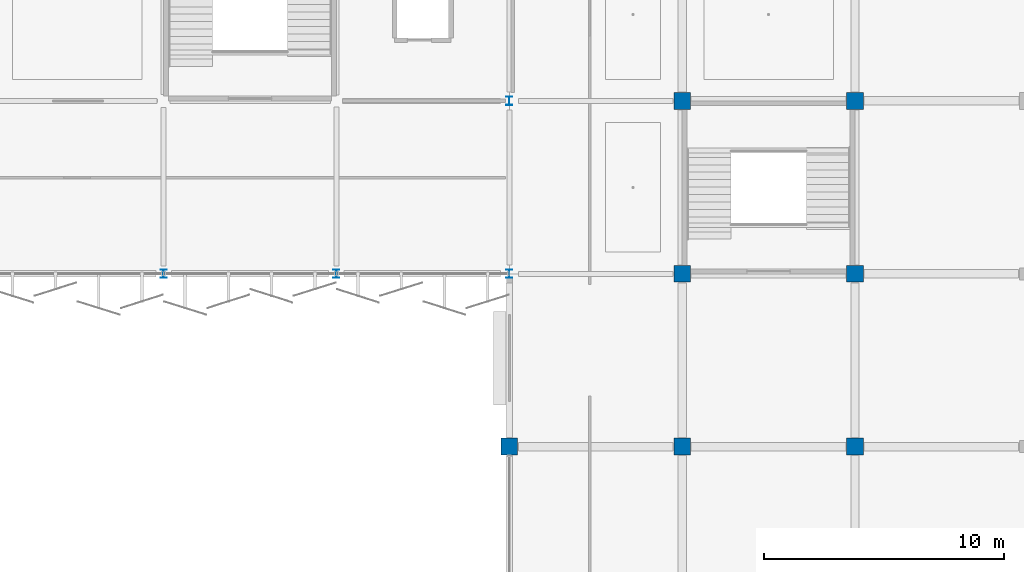
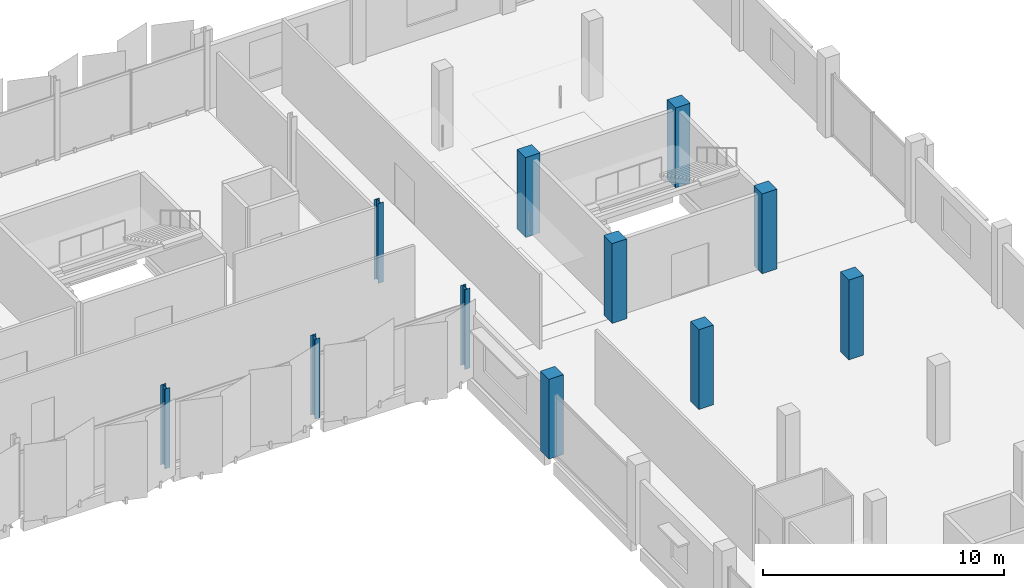
# One storey, part 5 of 91: 11 columns.
"""IFC4 building model written with IfcOpenShell, lengths in metres."""

from ifc_helpers import new_model, si_unit, direction, frame, origin, origin_2d, place, context, subcontext, project, spatial, rectangle, i_section, extrude, material, material_profile, profile_set, type_object, element, save


model = new_model("IFC4")

# Units and contexts
model_context = context("Model", 3, precision=1e-05, world=origin(), true_north=direction((0.0, 1.0)))
body_context = subcontext(model_context, "Body", "Model", "MODEL_VIEW")
ifc_project = project(units=[si_unit("LENGTHUNIT", "METRE"), si_unit("AREAUNIT", "SQUARE_METRE"), si_unit("VOLUMEUNIT", "CUBIC_METRE"), si_unit("PLANEANGLEUNIT", "RADIAN"), si_unit("MASSUNIT", "GRAM", prefix="KILO")], contexts=[model_context])

# Site, building, storey
site_placement = place(None, origin())
site = spatial("IfcSite", under=ifc_project, at=site_placement, CompositionType="ELEMENT")
building_placement = place(site_placement, origin())
building = spatial("IfcBuilding", under=site, at=building_placement, Name="Kangsadwip Square Police Headquarters", CompositionType="ELEMENT")
storey_placement = place(building_placement, frame((0.0, 0.0, 13.5)))
storey = spatial("IfcBuildingStorey", under=building, at=storey_placement, Name="L03", CompositionType="ELEMENT", Elevation=13.5)

# Columns
ifc_material_1 = material(Name="Concrete M40 (40 MPa)", Category="concrete")
ifc_material_profile_1 = material_profile(ifc_material_1, rectangle(XDim=0.699951171875, YDim=0.699951171875, at=origin_2d()), Name="RC COL 700X700")
ifc_profile_set_1 = profile_set([ifc_material_profile_1], Name="Concrete M40 (40 MPa)")
column_type_1 = type_object("IfcColumnType", Name="RcCol700x700", PredefinedType="COLUMN", material=ifc_profile_set_1)
for number, where, z_axis, x_axis, name in (
    (1, (144.0, 86.39990234375, 0.0), (0.0, 0.0, 1.0), (1.0, 0.0, 0.0), "Column COL-L03-20-12"),
    (2, (151.199951171875, 86.39990234375, 0.0), (0.0, 0.0, 1.0), (1.0, 0.0, 0.0), "Column COL-L03-21-12"),
    (3, (151.199951171875, 93.60009765625, 0.0), (0.0, 0.0, 1.0), (1.0, 0.0, 0.0), "Column COL-L03-21-13"),
    (4, (151.199951171875, 100.800048828125, 0.0), (0.0, 0.0, 1.0), (1.0, 0.0, 0.0), "Column COL-L03-21-14"),
    (5, (158.39990234375, 86.39990234375, 0.0), (0.0, 0.0, 1.0), (1.0, 0.0, 0.0), "Column COL-L03-22-12"),
    (6, (158.39990234375, 93.60009765625, 0.0), (0.0, 0.0, 1.0), (1.0, 0.0, 0.0), "Column COL-L03-22-13"),
    (7, (158.39990234375, 100.800048828125, 0.0), (0.0, 0.0, 1.0), (1.0, 0.0, 0.0), "Column COL-L03-22-14"),
):
    element("IfcColumn", number, at=place(storey_placement, frame(where, z_axis=z_axis, x_axis=x_axis)), inside=storey, type_object=column_type_1, Name=name, PredefinedType="COLUMN", context=body_context, shape_type="SweptSolid", body=[
        extrude(rectangle(XDim=0.699951171875, YDim=0.699951171875, at=origin_2d()), origin(), (0.0, 0.0, 1.0), 4.050048828125),
    ])
ifc_material_2 = material(Name="Structural steel IS 2062 E350 (Grade 350, 350 MPa)", Category="steel")
ifc_material_profile_2 = material_profile(ifc_material_2, i_section(OverallWidth=0.25, OverallDepth=0.35009765625, WebThickness=0.010009765625, FlangeThickness=0.01171875, at=origin_2d()), Name="ISHB 350")
ifc_profile_set_2 = profile_set([ifc_material_profile_2], Name="Structural steel IS 2062 E350 (Grade 350, 350 MPa)")
column_type_2 = type_object("IfcColumnType", Name="SteelColIshb350", PredefinedType="COLUMN", material=ifc_profile_set_2)
for number, where, z_axis, x_axis, name in (
    (8, (129.60009765625, 93.60009765625, 0.0), (0.0, 0.0, 1.0), (1.0, 0.0, 0.0), "Column COL-L03-18-13"),
    (9, (136.800048828125, 93.60009765625, 0.0), (0.0, 0.0, 1.0), (1.0, 0.0, 0.0), "Column COL-L03-19-13"),
    (10, (144.0, 93.60009765625, 0.0), (0.0, 0.0, 1.0), (1.0, 0.0, 0.0), "Column COL-L03-20-13"),
    (11, (144.0, 100.800048828125, 0.0), (0.0, 0.0, 1.0), (1.0, 0.0, 0.0), "Column COL-L03-20-14"),
):
    element("IfcColumn", number, at=place(storey_placement, frame(where, z_axis=z_axis, x_axis=x_axis)), inside=storey, type_object=column_type_2, Name=name, PredefinedType="COLUMN", context=body_context, shape_type="SweptSolid", body=[
        extrude(i_section(OverallWidth=0.25, OverallDepth=0.35009765625, WebThickness=0.010009765625, FlangeThickness=0.01171875, at=origin_2d()), origin(), (0.0, 0.0, 1.0), 4.050048828125),
    ])

save(model, "model.ifc")
